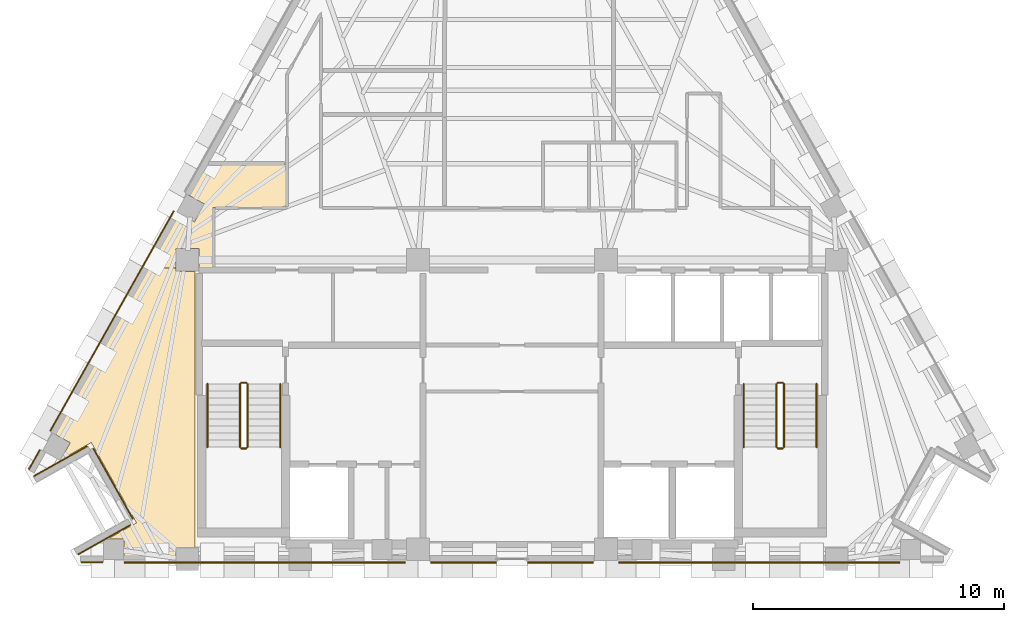
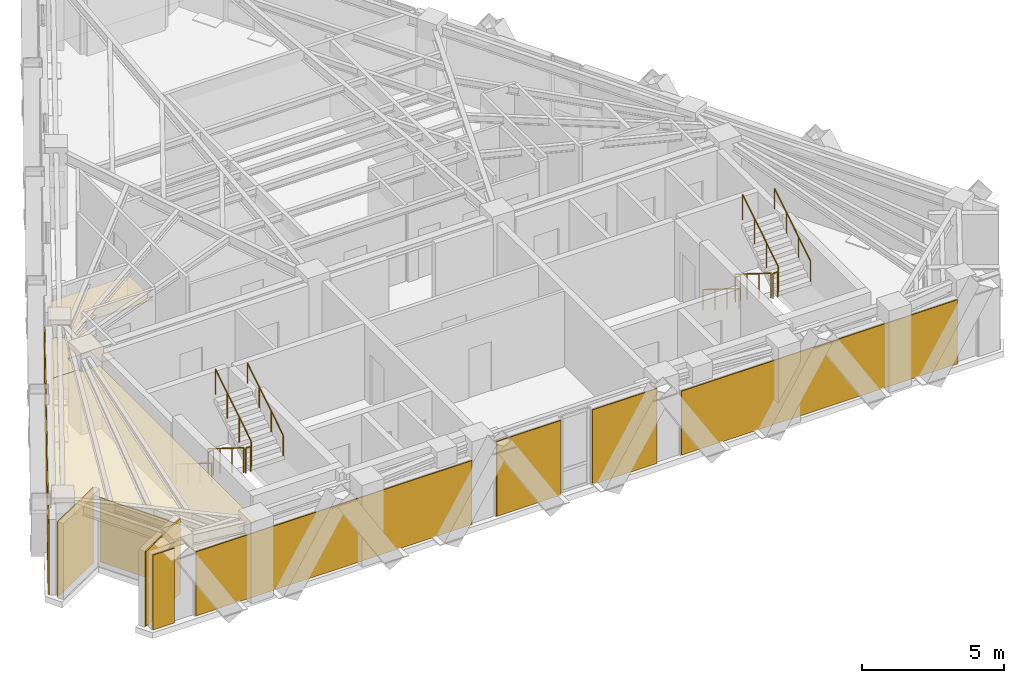
# One storey, part 8 of 9: 12 coverings, 12 railings.
"""IFC4 building model written with IfcOpenShell, lengths in metres."""

from ifc_helpers import new_model, si_unit, direction, frame, origin, origin_2d, place, context, subcontext, project, spatial, polyline, circle, outline, extrude, material, layer, layer_set, type_object, element, save


model = new_model("IFC4")

# Units and contexts
model_context = context("Model", 3, precision=1e-05, world=origin(), true_north=direction((0.0, 1.0)))
body_context = subcontext(model_context, "Body", "Model", "MODEL_VIEW")
ifc_project = project(units=[si_unit("LENGTHUNIT", "METRE"), si_unit("AREAUNIT", "SQUARE_METRE"), si_unit("VOLUMEUNIT", "CUBIC_METRE"), si_unit("PLANEANGLEUNIT", "RADIAN"), si_unit("MASSUNIT", "GRAM", prefix="KILO")], contexts=[model_context])

# Site, building, storey
site_placement = place(None, origin())
site = spatial("IfcSite", under=ifc_project, at=site_placement, CompositionType="ELEMENT")
building_placement = place(site_placement, origin())
building = spatial("IfcBuilding", under=site, at=building_placement, Name="Quenlor Broadcast Tower", CompositionType="ELEMENT")
storey_placement = place(building_placement, frame((0.0, 0.0, 246.39990234375)))
storey = spatial("IfcBuildingStorey", under=building, at=storey_placement, Name="L68", CompositionType="ELEMENT", Elevation=246.39990234375)

# Coverings
ifc_material_1 = material(Name="Acoustic Mineral Fibre Board", Category="other")
ifc_layer_1 = layer(ifc_material_1, 0.02490234375)
ifc_layer_set_1 = layer_set([ifc_layer_1], Name="Acoustic Perforated Mineral Tile Ceiling 25")
covering_type_1 = type_object("IfcCoveringType", Name="Acoustic Perforated Mineral Tile Ceiling 25", PredefinedType="CEILING", material=ifc_layer_set_1)
covering_1_placement = place(storey_placement, frame((0.0, 0.0, 2.714599609375)))
element("IfcCovering", 1, at=covering_1_placement, inside=storey, type_object=covering_type_1, Name="L68 Acoustic Ceiling L68-29", PredefinedType="CEILING", context=body_context, shape_type="SweptSolid", body=[
    extrude(outline(polyline([(-13.295654296875, -2.930419921875), (-12.669921875, -3.2822265625), (-12.27001953125, -2.571044921875), (-12.895751953125, -2.218994140625), (-12.206298828125, -0.993408203125), (-9.0, -0.993408203125), (-9.0, -2.699951171875), (-11.929931640625, -2.699951171875), (-11.929931640625, -5.1201171875), (-12.491943359375, -5.1201171875), (-12.491943359375, -4.342041015625), (-13.407958984375, -4.342041015625), (-13.407958984375, -5.1201171875), (-14.52734375, -5.1201171875), (-13.295654296875, -2.930419921875)])), origin(), (0.0, 0.0, 1.0), 0.025146484375),
])
covering_2_placement = place(storey_placement, frame((0.0, 0.0, 2.714599609375)))
element("IfcCovering", 2, at=covering_2_placement, inside=storey, type_object=covering_type_1, Name="L68 Acoustic Ceiling L68-29-2", PredefinedType="CEILING", context=body_context, shape_type="SweptSolid", body=[
    extrude(outline(polyline([(-17.626708984375, -12.09423828125), (-18.25244140625, -11.7421875), (-14.52734375, -5.1201171875), (-13.407958984375, -5.1201171875), (-13.407958984375, -5.258056640625), (-12.64990234375, -5.258056640625), (-12.64990234375, -16.2919921875), (-13.407958984375, -16.2919921875), (-13.407958984375, -16.659912109375), (-15.489501953125, -16.659912109375), (-15.489501953125, -15.94189453125), (-16.1435546875, -15.94189453125), (-14.983642578125, -15.28955078125), (-16.785888671875, -12.085693359375), (-18.0087890625, -12.773681640625), (-17.626708984375, -12.09423828125)])), origin(), (0.0, 0.0, 1.0), 0.025146484375),
])
ifc_material_2 = material(Name="Architectural Terracotta Ceramic", Category="masonry")
ifc_layer_2 = layer(ifc_material_2, 0.044921875)
ifc_layer_set_2 = layer_set([ifc_layer_2], Name="Fluted Terracotta Rainscreen Cladding Panel")
covering_type_2 = type_object("IfcCoveringType", Name="Fluted Terracotta Rainscreen Cladding Panel", PredefinedType="CLADDING", material=ifc_layer_set_2)
covering_3_placement = place(storey_placement, frame((0.0, 0.0, 0.02001953125)))
element("IfcCovering", 3, at=covering_3_placement, inside=storey, type_object=covering_type_2, Name="L68 Terracotta Rainscreen Cladding L68-SHD-SS1", PredefinedType="CLADDING", context=body_context, shape_type="SweptSolid", body=[
    extrude(outline(polyline([(-16.33251953125, -16.8369140625), (-17.18994140625, -16.8369140625), (-17.18994140625, -16.882080078125), (-16.33251953125, -16.882080078125), (-16.33251953125, -16.8369140625)])), origin(), (0.0, 0.0, 1.0), 3.2099609375),
])
covering_4_placement = place(storey_placement, frame((0.0, 0.0, 0.02001953125)))
element("IfcCovering", 4, at=covering_4_placement, inside=storey, type_object=covering_type_2, Name="L68 Terracotta Rainscreen Cladding L68-EW-SA", PredefinedType="CLADDING", context=body_context, shape_type="SweptSolid", body=[
    extrude(outline(polyline([(15.462646484375, -16.846923828125), (4.25, -16.846923828125), (4.25, -16.89208984375), (15.462646484375, -16.89208984375), (15.462646484375, -16.846923828125)])), origin(), (0.0, 0.0, 1.0), 2.749755859375),
])
covering_5_placement = place(storey_placement, frame((0.0, 0.0, 0.02001953125)))
element("IfcCovering", 5, at=covering_5_placement, inside=storey, type_object=covering_type_2, Name="L68 Terracotta Rainscreen Cladding L68-EW-SC", PredefinedType="CLADDING", context=body_context, shape_type="SweptSolid", body=[
    extrude(outline(polyline([(-4.25, -16.846923828125), (-15.462646484375, -16.846923828125), (-15.462646484375, -16.89208984375), (-4.25, -16.89208984375), (-4.25, -16.846923828125)])), origin(), (0.0, 0.0, 1.0), 2.749755859375),
])
covering_6_placement = place(storey_placement, frame((0.0, 0.0, 0.02001953125)))
element("IfcCovering", 6, at=covering_6_placement, inside=storey, type_object=covering_type_2, Name="L68 Terracotta Rainscreen Cladding L68-S-SP1", PredefinedType="CLADDING", context=body_context, shape_type="SweptSolid", body=[
    extrude(outline(polyline([(3.25, -16.846923828125), (0.6357421875, -16.846923828125), (0.6357421875, -16.89208984375), (3.25, -16.89208984375), (3.25, -16.846923828125)])), origin(), (0.0, 0.0, 1.0), 3.2099609375),
])
covering_7_placement = place(storey_placement, frame((0.0, 0.0, 0.02001953125)))
element("IfcCovering", 7, at=covering_7_placement, inside=storey, type_object=covering_type_2, Name="L68 Terracotta Rainscreen Cladding L68-S-SP2", PredefinedType="CLADDING", context=body_context, shape_type="SweptSolid", body=[
    extrude(outline(polyline([(-0.6357421875, -16.846923828125), (-3.25, -16.846923828125), (-3.25, -16.89208984375), (-0.6357421875, -16.89208984375), (-0.6357421875, -16.846923828125)])), origin(), (0.0, 0.0, 1.0), 3.2099609375),
])
covering_8_placement = place(storey_placement, frame((0.0, 0.0, 0.02001953125)))
element("IfcCovering", 8, at=covering_8_placement, inside=storey, type_object=covering_type_2, Name="L68 Terracotta Rainscreen Cladding L68-SHD-NWS0", PredefinedType="CLADDING", context=body_context, shape_type="SweptSolid", body=[
    extrude(outline(polyline([(-19.25390625, -13.161376953125), (-18.820068359375, -12.39013671875), (-18.859130859375, -12.3681640625), (-19.29296875, -13.139404296875), (-19.25390625, -13.161376953125)])), origin(), (0.0, 0.0, 1.0), 3.2099609375),
])
covering_9_placement = place(storey_placement, frame((0.0, 0.0, 0.02001953125)))
element("IfcCovering", 9, at=covering_9_placement, inside=storey, type_object=covering_type_2, Name="L68 Terracotta Rainscreen Cladding L68-EW-NWA", PredefinedType="CLADDING", context=body_context, shape_type="SweptSolid", body=[
    extrude(outline(polyline([(-18.402099609375, -11.626953125), (-13.471923828125, -2.862060546875), (-13.51123046875, -2.840087890625), (-18.44140625, -11.60498046875), (-18.402099609375, -11.626953125)])), origin(), (0.0, 0.0, 1.0), 3.2099609375),
])
covering_10_placement = place(storey_placement, frame((0.0, 0.0, 0.02001953125)))
element("IfcCovering", 10, at=covering_10_placement, inside=storey, type_object=covering_type_2, Name="L68 Terracotta Rainscreen Cladding L68-CNR-13", PredefinedType="CLADDING", context=body_context, shape_type="SweptSolid", body=[
    extrude(outline(polyline([(-19.062255859375, -13.444091796875), (-16.935546875, -12.247802734375), (-16.95751953125, -12.208740234375), (-19.084228515625, -13.405029296875), (-19.062255859375, -13.444091796875)])), origin(), (0.0, 0.0, 1.0), 3.2099609375),
])
covering_11_placement = place(storey_placement, frame((0.0, 0.0, 0.02001953125)))
element("IfcCovering", 11, at=covering_11_placement, inside=storey, type_object=covering_type_2, Name="L68 Terracotta Rainscreen Cladding L68-CNR-14", PredefinedType="CLADDING", context=body_context, shape_type="SweptSolid", body=[
    extrude(outline(polyline([(-16.72265625, -12.3369140625), (-15.14599609375, -15.139892578125), (-15.106689453125, -15.117919921875), (-16.683349609375, -12.31494140625), (-16.72265625, -12.3369140625)])), origin(), (0.0, 0.0, 1.0), 2.749755859375),
])
covering_12_placement = place(storey_placement, frame((0.0, 0.0, 0.02001953125)))
element("IfcCovering", 12, at=covering_12_placement, inside=storey, type_object=covering_type_2, Name="L68 Terracotta Rainscreen Cladding L68-CNR-15", PredefinedType="CLADDING", context=body_context, shape_type="SweptSolid", body=[
    extrude(outline(polyline([(-15.23486328125, -15.352783203125), (-17.32666015625, -16.529541015625), (-17.3046875, -16.568603515625), (-15.212890625, -15.39208984375), (-15.23486328125, -15.352783203125)])), origin(), (0.0, 0.0, 1.0), 3.2099609375),
])

# Railings
ifc_material_3 = material(Name="Anodised Aluminium", Category="aluminium")
railing_type_1 = type_object("IfcRailingType", Name="Stainless Aluminium Wall Handrail 900", PredefinedType="HANDRAIL", material=ifc_material_3)
railing_1_placement = place(storey_placement, frame((-12.14990234375, -9.75, 0.175048828125)))
element("IfcRailing", 13, at=railing_1_placement, inside=storey, type_object=railing_type_1, Name="L68 ST-1 stair handrail 1", PredefinedType="HANDRAIL", context=body_context, shape_type="SweptSolid", body=[
    extrude(circle(Radius=0.02392578125, at=origin_2d()), frame((0.0, 0.0, 0.8759765625), z_axis=(0.0, -0.848007534815, 0.529984170421), x_axis=(1.0, 0.0, 0.0)), (0.0, 0.0, 1.0), 2.9716796875),
    extrude(circle(Radius=0.02099609375, at=origin_2d()), origin(), (0.0, 0.0, 1.0), 0.851806640625),
    extrude(circle(Radius=0.02099609375, at=origin_2d()), frame((0.0, -0.840087890625, 0.52490234375)), (0.0, 0.0, 1.0), 0.851806640625),
    extrude(circle(Radius=0.02099609375, at=origin_2d()), frame((0.0, -1.679931640625, 1.050048828125)), (0.0, 0.0, 1.0), 0.851806640625),
    extrude(circle(Radius=0.02099609375, at=origin_2d()), frame((0.0, -2.52001953125, 1.574951171875)), (0.0, 0.0, 1.0), 0.851806640625),
])
railing_2_placement = place(storey_placement, frame((-9.25, -12.27001953125, 1.925048828125)))
element("IfcRailing", 14, at=railing_2_placement, inside=storey, type_object=railing_type_1, Name="L68 ST-1 stair handrail 2", PredefinedType="HANDRAIL", context=body_context, shape_type="SweptSolid", body=[
    extrude(circle(Radius=0.02392578125, at=origin_2d()), frame((0.0, 0.0, 0.8759765625), z_axis=(0.0, 0.848007534815, 0.529984170421), x_axis=(-1.0, 0.0, 0.0)), (0.0, 0.0, 1.0), 2.9716796875),
    extrude(circle(Radius=0.02099609375, at=origin_2d()), origin(), (0.0, 0.0, 1.0), 0.851806640625),
    extrude(circle(Radius=0.02099609375, at=origin_2d()), frame((0.0, 0.840087890625, 0.52490234375)), (0.0, 0.0, 1.0), 0.851806640625),
    extrude(circle(Radius=0.02099609375, at=origin_2d()), frame((0.0, 1.679931640625, 1.050048828125)), (0.0, 0.0, 1.0), 0.851806640625),
    extrude(circle(Radius=0.02099609375, at=origin_2d()), frame((0.0, 2.52001953125, 1.574951171875)), (0.0, 0.0, 1.0), 0.851806640625),
])
railing_3_placement = place(storey_placement, frame((9.25, -9.75, 0.175048828125)))
element("IfcRailing", 15, at=railing_3_placement, inside=storey, type_object=railing_type_1, Name="L68 ST-2 stair handrail 1", PredefinedType="HANDRAIL", context=body_context, shape_type="SweptSolid", body=[
    extrude(circle(Radius=0.02392578125, at=origin_2d()), frame((0.0, 0.0, 0.8759765625), z_axis=(0.0, -0.848007534815, 0.529984170421), x_axis=(1.0, 0.0, 0.0)), (0.0, 0.0, 1.0), 2.9716796875),
    extrude(circle(Radius=0.02099609375, at=origin_2d()), origin(), (0.0, 0.0, 1.0), 0.851806640625),
    extrude(circle(Radius=0.02099609375, at=origin_2d()), frame((0.0, -0.840087890625, 0.52490234375)), (0.0, 0.0, 1.0), 0.851806640625),
    extrude(circle(Radius=0.02099609375, at=origin_2d()), frame((0.0, -1.679931640625, 1.050048828125)), (0.0, 0.0, 1.0), 0.851806640625),
    extrude(circle(Radius=0.02099609375, at=origin_2d()), frame((0.0, -2.52001953125, 1.574951171875)), (0.0, 0.0, 1.0), 0.851806640625),
])
railing_4_placement = place(storey_placement, frame((12.14990234375, -12.27001953125, 1.925048828125)))
element("IfcRailing", 16, at=railing_4_placement, inside=storey, type_object=railing_type_1, Name="L68 ST-2 stair handrail 2", PredefinedType="HANDRAIL", context=body_context, shape_type="SweptSolid", body=[
    extrude(circle(Radius=0.02392578125, at=origin_2d()), frame((0.0, 0.0, 0.8759765625), z_axis=(0.0, 0.848007534815, 0.529984170421), x_axis=(-1.0, 0.0, 0.0)), (0.0, 0.0, 1.0), 2.9716796875),
    extrude(circle(Radius=0.02099609375, at=origin_2d()), origin(), (0.0, 0.0, 1.0), 0.851806640625),
    extrude(circle(Radius=0.02099609375, at=origin_2d()), frame((0.0, 0.840087890625, 0.52490234375)), (0.0, 0.0, 1.0), 0.851806640625),
    extrude(circle(Radius=0.02099609375, at=origin_2d()), frame((0.0, 1.679931640625, 1.050048828125)), (0.0, 0.0, 1.0), 0.851806640625),
    extrude(circle(Radius=0.02099609375, at=origin_2d()), frame((0.0, 2.52001953125, 1.574951171875)), (0.0, 0.0, 1.0), 0.851806640625),
])
ifc_material_4 = material(Name="Steel S355", Category="steel")
railing_type_2 = type_object("IfcRailingType", Name="Tubular Steel S355 Stair Guardrail 1100", PredefinedType="BALUSTRADE", material=ifc_material_4)
railing_5_placement = place(storey_placement, frame((-10.85009765625, -9.75, 0.175048828125)))
element("IfcRailing", 17, at=railing_5_placement, inside=storey, type_object=railing_type_2, Name="L68 ST-1 stair guard 1", PredefinedType="BALUSTRADE", context=body_context, shape_type="SweptSolid", body=[
    extrude(circle(Radius=0.02392578125, at=origin_2d()), frame((0.0, 0.0, 1.076171875), z_axis=(0.0, -0.848007534815, 0.529984170421), x_axis=(1.0, 0.0, 0.0)), (0.0, 0.0, 1.0), 2.9716796875),
    extrude(circle(Radius=0.02099609375, at=origin_2d()), origin(), (0.0, 0.0, 1.0), 1.052001953125),
    extrude(circle(Radius=0.02099609375, at=origin_2d()), frame((0.0, -0.840087890625, 0.52490234375)), (0.0, 0.0, 1.0), 1.052001953125),
    extrude(circle(Radius=0.02099609375, at=origin_2d()), frame((0.0, -1.679931640625, 1.050048828125)), (0.0, 0.0, 1.0), 1.052001953125),
    extrude(circle(Radius=0.02099609375, at=origin_2d()), frame((0.0, -2.52001953125, 1.574951171875)), (0.0, 0.0, 1.0), 1.052001953125),
])
railing_6_placement = place(storey_placement, frame((-10.800048828125, -12.320068359375, 1.75)))
element("IfcRailing", 18, at=railing_6_placement, inside=storey, type_object=railing_type_2, Name="L68 ST-1 stair guard 2", PredefinedType="BALUSTRADE", context=body_context, shape_type="SweptSolid", body=[
    extrude(circle(Radius=0.02392578125, at=origin_2d()), frame((0.0, 0.0, 1.076171875), z_axis=(1.0, 0.0, 0.0), x_axis=(0.0, 1.0, 0.0)), (0.0, 0.0, 1.0), 0.199951171875),
    extrude(circle(Radius=0.02099609375, at=origin_2d()), origin(), (0.0, 0.0, 1.0), 1.052001953125),
    extrude(circle(Radius=0.02099609375, at=origin_2d()), frame((0.199951171875, 0.0, 0.0)), (0.0, 0.0, 1.0), 1.052001953125),
])
railing_7_placement = place(storey_placement, frame((-10.550048828125, -12.27001953125, 1.925048828125)))
element("IfcRailing", 19, at=railing_7_placement, inside=storey, type_object=railing_type_2, Name="L68 ST-1 stair guard 3", PredefinedType="BALUSTRADE", context=body_context, shape_type="SweptSolid", body=[
    extrude(circle(Radius=0.02392578125, at=origin_2d()), frame((0.0, 0.0, 1.076171875), z_axis=(0.0, 0.848007534815, 0.529984170421), x_axis=(-1.0, 0.0, 0.0)), (0.0, 0.0, 1.0), 2.9716796875),
    extrude(circle(Radius=0.02099609375, at=origin_2d()), origin(), (0.0, 0.0, 1.0), 1.052001953125),
    extrude(circle(Radius=0.02099609375, at=origin_2d()), frame((0.0, 0.840087890625, 0.52490234375)), (0.0, 0.0, 1.0), 1.052001953125),
    extrude(circle(Radius=0.02099609375, at=origin_2d()), frame((0.0, 1.679931640625, 1.050048828125)), (0.0, 0.0, 1.0), 1.052001953125),
    extrude(circle(Radius=0.02099609375, at=origin_2d()), frame((0.0, 2.52001953125, 1.574951171875)), (0.0, 0.0, 1.0), 1.052001953125),
])
railing_8_placement = place(storey_placement, frame((-10.800048828125, -9.699951171875, 0.0)))
element("IfcRailing", 20, at=railing_8_placement, inside=storey, type_object=railing_type_2, Name="L68 ST-1 stair guard 4", PredefinedType="BALUSTRADE", context=body_context, shape_type="SweptSolid", body=[
    extrude(circle(Radius=0.02392578125, at=origin_2d()), frame((0.0, 0.0, 1.076171875), z_axis=(1.0, 0.0, 0.0), x_axis=(0.0, 1.0, 0.0)), (0.0, 0.0, 1.0), 0.199951171875),
    extrude(circle(Radius=0.02099609375, at=origin_2d()), origin(), (0.0, 0.0, 1.0), 1.052001953125),
    extrude(circle(Radius=0.02099609375, at=origin_2d()), frame((0.199951171875, 0.0, 0.0)), (0.0, 0.0, 1.0), 1.052001953125),
])
railing_9_placement = place(storey_placement, frame((10.550048828125, -9.75, 0.175048828125)))
element("IfcRailing", 21, at=railing_9_placement, inside=storey, type_object=railing_type_2, Name="L68 ST-2 stair guard 1", PredefinedType="BALUSTRADE", context=body_context, shape_type="SweptSolid", body=[
    extrude(circle(Radius=0.02392578125, at=origin_2d()), frame((0.0, 0.0, 1.076171875), z_axis=(0.0, -0.848007534815, 0.529984170421), x_axis=(1.0, 0.0, 0.0)), (0.0, 0.0, 1.0), 2.9716796875),
    extrude(circle(Radius=0.02099609375, at=origin_2d()), origin(), (0.0, 0.0, 1.0), 1.052001953125),
    extrude(circle(Radius=0.02099609375, at=origin_2d()), frame((0.0, -0.840087890625, 0.52490234375)), (0.0, 0.0, 1.0), 1.052001953125),
    extrude(circle(Radius=0.02099609375, at=origin_2d()), frame((0.0, -1.679931640625, 1.050048828125)), (0.0, 0.0, 1.0), 1.052001953125),
    extrude(circle(Radius=0.02099609375, at=origin_2d()), frame((0.0, -2.52001953125, 1.574951171875)), (0.0, 0.0, 1.0), 1.052001953125),
])
railing_10_placement = place(storey_placement, frame((10.60009765625, -12.320068359375, 1.75)))
element("IfcRailing", 22, at=railing_10_placement, inside=storey, type_object=railing_type_2, Name="L68 ST-2 stair guard 2", PredefinedType="BALUSTRADE", context=body_context, shape_type="SweptSolid", body=[
    extrude(circle(Radius=0.02392578125, at=origin_2d()), frame((0.0, 0.0, 1.076171875), z_axis=(1.0, 0.0, 0.0), x_axis=(0.0, 1.0, 0.0)), (0.0, 0.0, 1.0), 0.199951171875),
    extrude(circle(Radius=0.02099609375, at=origin_2d()), origin(), (0.0, 0.0, 1.0), 1.052001953125),
    extrude(circle(Radius=0.02099609375, at=origin_2d()), frame((0.199951171875, 0.0, 0.0)), (0.0, 0.0, 1.0), 1.052001953125),
])
railing_11_placement = place(storey_placement, frame((10.85009765625, -12.27001953125, 1.925048828125)))
element("IfcRailing", 23, at=railing_11_placement, inside=storey, type_object=railing_type_2, Name="L68 ST-2 stair guard 3", PredefinedType="BALUSTRADE", context=body_context, shape_type="SweptSolid", body=[
    extrude(circle(Radius=0.02392578125, at=origin_2d()), frame((0.0, 0.0, 1.076171875), z_axis=(0.0, 0.848007534815, 0.529984170421), x_axis=(-1.0, 0.0, 0.0)), (0.0, 0.0, 1.0), 2.9716796875),
    extrude(circle(Radius=0.02099609375, at=origin_2d()), origin(), (0.0, 0.0, 1.0), 1.052001953125),
    extrude(circle(Radius=0.02099609375, at=origin_2d()), frame((0.0, 0.840087890625, 0.52490234375)), (0.0, 0.0, 1.0), 1.052001953125),
    extrude(circle(Radius=0.02099609375, at=origin_2d()), frame((0.0, 1.679931640625, 1.050048828125)), (0.0, 0.0, 1.0), 1.052001953125),
    extrude(circle(Radius=0.02099609375, at=origin_2d()), frame((0.0, 2.52001953125, 1.574951171875)), (0.0, 0.0, 1.0), 1.052001953125),
])
railing_12_placement = place(storey_placement, frame((10.60009765625, -9.699951171875, 0.0)))
element("IfcRailing", 24, at=railing_12_placement, inside=storey, type_object=railing_type_2, Name="L68 ST-2 stair guard 4", PredefinedType="BALUSTRADE", context=body_context, shape_type="SweptSolid", body=[
    extrude(circle(Radius=0.02392578125, at=origin_2d()), frame((0.0, 0.0, 1.076171875), z_axis=(1.0, 0.0, 0.0), x_axis=(0.0, 1.0, 0.0)), (0.0, 0.0, 1.0), 0.199951171875),
    extrude(circle(Radius=0.02099609375, at=origin_2d()), origin(), (0.0, 0.0, 1.0), 1.052001953125),
    extrude(circle(Radius=0.02099609375, at=origin_2d()), frame((0.199951171875, 0.0, 0.0)), (0.0, 0.0, 1.0), 1.052001953125),
])

save(model, "model.ifc")
